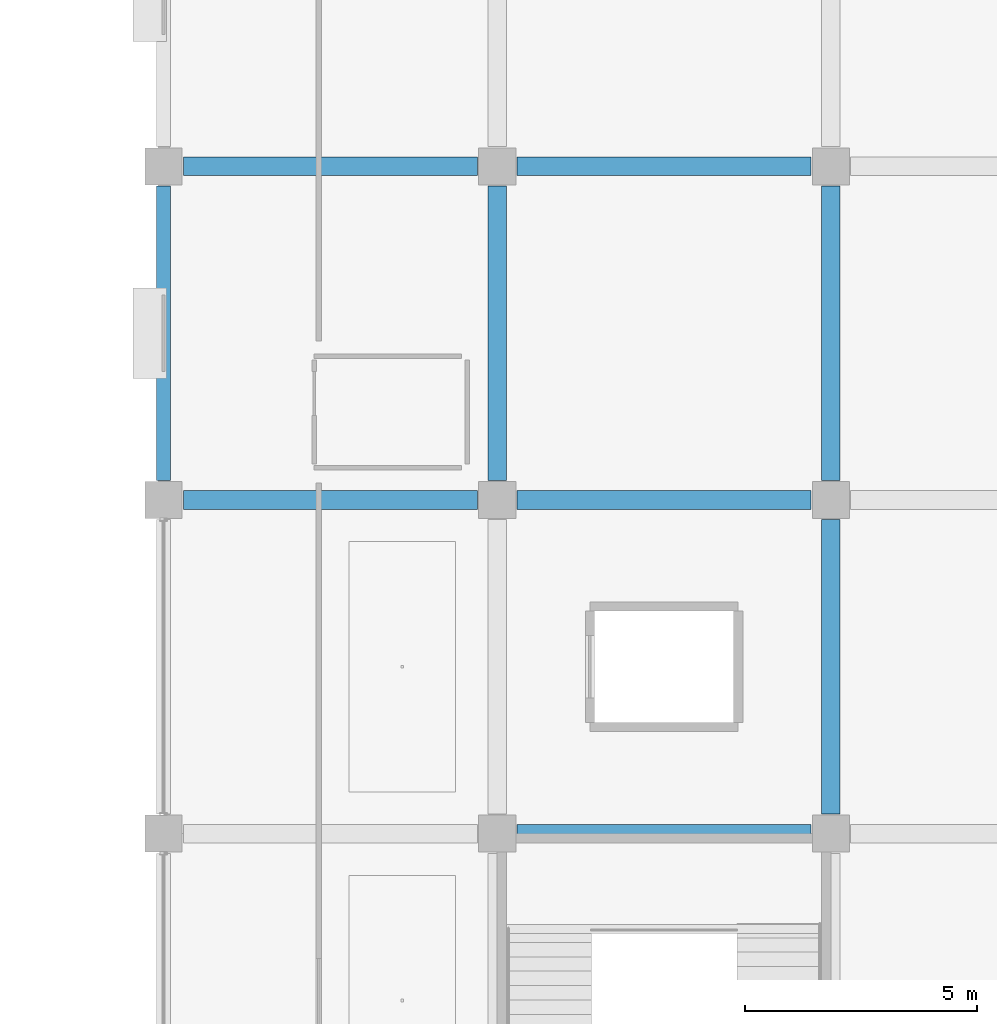
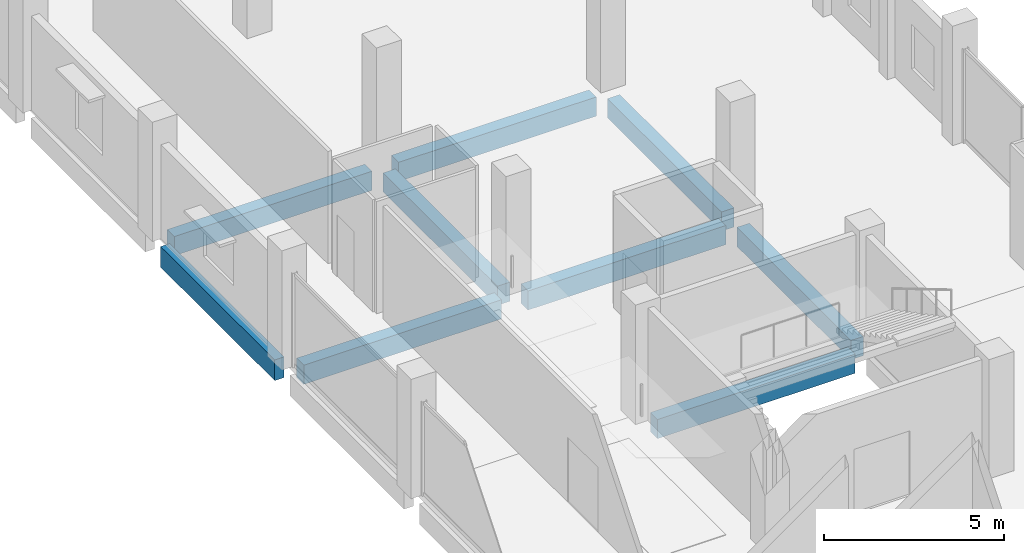
# One storey, part 59 of 107: 9 beams.
"""IFC4 building model written with IfcOpenShell, lengths in metres."""

from ifc_helpers import new_model, si_unit, direction, frame, origin, origin_2d, place, context, subcontext, project, spatial, rectangle, extrude, material, material_profile, profile_set, type_object, element, save


model = new_model("IFC4")

# Units and contexts
model_context = context("Model", 3, precision=1e-05, world=origin(), true_north=direction((0.0, 1.0)))
body_context = subcontext(model_context, "Body", "Model", "MODEL_VIEW")
ifc_project = project(units=[si_unit("LENGTHUNIT", "METRE"), si_unit("AREAUNIT", "SQUARE_METRE"), si_unit("VOLUMEUNIT", "CUBIC_METRE"), si_unit("PLANEANGLEUNIT", "RADIAN"), si_unit("MASSUNIT", "GRAM", prefix="KILO")], contexts=[model_context])

# Site, building, storey
site_placement = place(None, origin())
site = spatial("IfcSite", under=ifc_project, at=site_placement, CompositionType="ELEMENT")
building_placement = place(site_placement, origin())
building = spatial("IfcBuilding", under=site, at=building_placement, Name="Kangsadwip Square Police Headquarters", CompositionType="ELEMENT")
storey_placement = place(building_placement, frame((0.0, 0.0, 5.39990234375)))
storey = spatial("IfcBuildingStorey", under=building, at=storey_placement, Name="L01", CompositionType="ELEMENT", Elevation=5.39990234375)

# Beams
ifc_material_1 = material(Name="Concrete M35 (35 MPa)", Category="concrete")
ifc_material_profile_1 = material_profile(ifc_material_1, rectangle(XDim=0.39990234375, YDim=0.64990234375, at=origin_2d()), Name="RC BM 650X400")
ifc_profile_set_1 = profile_set([ifc_material_profile_1], Name="Concrete M35 (35 MPa)")
beam_type_1 = type_object("IfcBeamType", Name="RcBeam650x400", PredefinedType="BEAM", material=ifc_profile_set_1)
beam_1_placement = place(storey_placement, frame((151.625, 64.800048828125, -0.56494140625), z_axis=(1.0, 0.0, 0.0), x_axis=(0.0, 1.0, 0.0)))
element("IfcBeam", 1, at=beam_1_placement, inside=storey, type_object=beam_type_1, Name="Beam BM-L01-X-21-09", PredefinedType="BEAM", context=body_context, shape_type="SweptSolid", body=[
    extrude(rectangle(XDim=0.39990234375, YDim=0.64990234375, at=origin_2d()), origin(), (0.0, 0.0, 1.0), 6.35009765625),
])
beam_2_placement = place(storey_placement, frame((144.425048828125, 72.0, -0.56494140625), z_axis=(1.0, 0.0, 0.0), x_axis=(0.0, 1.0, 0.0)))
element("IfcBeam", 2, at=beam_2_placement, inside=storey, type_object=beam_type_1, Name="Beam BM-L01-X-20-10", PredefinedType="BEAM", context=body_context, shape_type="SweptSolid", body=[
    extrude(rectangle(XDim=0.39990234375, YDim=0.64990234375, at=origin_2d()), origin(), (0.0, 0.0, 1.0), 6.349853515625),
])
beam_3_placement = place(storey_placement, frame((151.625, 72.0, -0.56494140625), z_axis=(1.0, 0.0, 0.0), x_axis=(0.0, 1.0, 0.0)))
element("IfcBeam", 3, at=beam_3_placement, inside=storey, type_object=beam_type_1, Name="Beam BM-L01-X-21-10", PredefinedType="BEAM", context=body_context, shape_type="SweptSolid", body=[
    extrude(rectangle(XDim=0.39990234375, YDim=0.64990234375, at=origin_2d()), origin(), (0.0, 0.0, 1.0), 6.35009765625),
])
beam_4_placement = place(storey_placement, frame((144.425048828125, 79.199951171875, -0.56494140625), z_axis=(1.0, 0.0, 0.0), x_axis=(0.0, 1.0, 0.0)))
element("IfcBeam", 4, at=beam_4_placement, inside=storey, type_object=beam_type_1, Name="Beam BM-L01-X-20-11", PredefinedType="BEAM", context=body_context, shape_type="SweptSolid", body=[
    extrude(rectangle(XDim=0.39990234375, YDim=0.64990234375, at=origin_2d()), origin(), (0.0, 0.0, 1.0), 6.349853515625),
])
beam_5_placement = place(storey_placement, frame((151.625, 79.199951171875, -0.56494140625), z_axis=(1.0, 0.0, 0.0), x_axis=(0.0, 1.0, 0.0)))
element("IfcBeam", 5, at=beam_5_placement, inside=storey, type_object=beam_type_1, Name="Beam BM-L01-X-21-11", PredefinedType="BEAM", context=body_context, shape_type="SweptSolid", body=[
    extrude(rectangle(XDim=0.39990234375, YDim=0.64990234375, at=origin_2d()), origin(), (0.0, 0.0, 1.0), 6.35009765625),
])
for number, where, z_axis, x_axis, name in (
    (6, (151.199951171875, 72.425048828125, -0.56494140625), (0.0, 1.0, 0.0), (-1.0, 0.0, 0.0), "Beam BM-L01-Y-21-10"),
    (7, (158.39990234375, 65.22509765625, -0.56494140625), (0.0, 1.0, 0.0), (-1.0, 0.0, 0.0), "Beam BM-L01-Y-22-09"),
    (8, (158.39990234375, 72.425048828125, -0.56494140625), (0.0, 1.0, 0.0), (-1.0, 0.0, 0.0), "Beam BM-L01-Y-22-10"),
):
    element("IfcBeam", number, at=place(storey_placement, frame(where, z_axis=z_axis, x_axis=x_axis)), inside=storey, type_object=beam_type_1, Name=name, PredefinedType="BEAM", context=body_context, shape_type="SweptSolid", body=[
        extrude(rectangle(XDim=0.39990234375, YDim=0.64990234375, at=origin_2d()), origin(), (0.0, 0.0, 1.0), 6.349853515625),
    ])
ifc_material_2 = material(Name="Concrete M40 (40 MPa)", Category="concrete")
ifc_material_profile_2 = material_profile(ifc_material_2, rectangle(XDim=0.300048828125, YDim=0.699951171875, at=origin_2d()), Name="RC SPN 700X300")
ifc_profile_set_2 = profile_set([ifc_material_profile_2], Name="Concrete M40 (40 MPa)")
beam_type_2 = type_object("IfcBeamType", Name="RcSpandrel700x300", PredefinedType="SPANDREL", material=ifc_profile_set_2)
beam_6_placement = place(storey_placement, frame((144.0, 72.425048828125, -0.58984375), z_axis=(0.0, 1.0, 0.0), x_axis=(-1.0, 0.0, 0.0)))
element("IfcBeam", 9, at=beam_6_placement, inside=storey, type_object=beam_type_2, Name="Beam BM-L01-Y-20-10", PredefinedType="SPANDREL", context=body_context, shape_type="SweptSolid", body=[
    extrude(rectangle(XDim=0.300048828125, YDim=0.699951171875, at=origin_2d()), origin(), (0.0, 0.0, 1.0), 6.349853515625),
])

save(model, "model.ifc")
